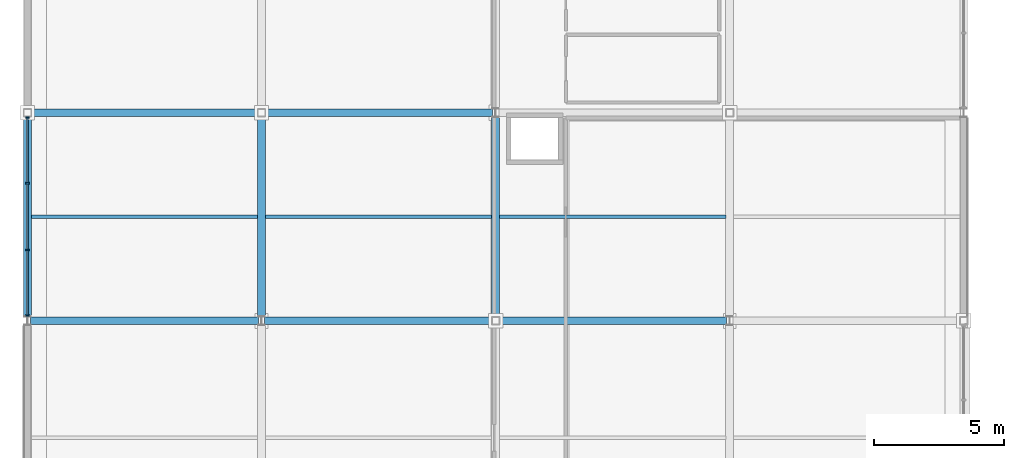
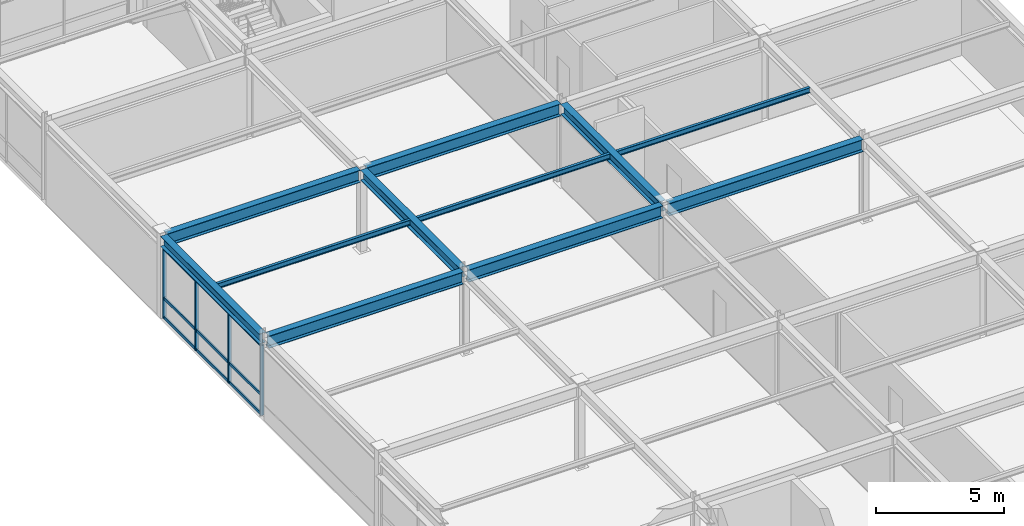
# One storey, part 27 of 108: 13 members, 11 beams, 1 element without a shape of its own.
"""IFC4 building model written with IfcOpenShell, lengths in metres."""

from ifc_helpers import new_model, si_unit, direction, frame, origin, origin_2d, place, context, subcontext, project, spatial, rectangle, i_section, extrude, material, material_profile, profile_set, type_object, element, aggregate, save


model = new_model("IFC4")

# Units and contexts
model_context = context("Model", 3, precision=1e-05, world=origin(), true_north=direction((0.0, 1.0)))
body_context = subcontext(model_context, "Body", "Model", "MODEL_VIEW")
ifc_project = project(units=[si_unit("LENGTHUNIT", "METRE"), si_unit("AREAUNIT", "SQUARE_METRE"), si_unit("VOLUMEUNIT", "CUBIC_METRE"), si_unit("PLANEANGLEUNIT", "RADIAN"), si_unit("MASSUNIT", "GRAM", prefix="KILO")], contexts=[model_context])

# Site, building, storey
site_placement = place(None, origin())
site = spatial("IfcSite", under=ifc_project, at=site_placement, CompositionType="ELEMENT")
building_placement = place(site_placement, origin())
building = spatial("IfcBuilding", under=site, at=building_placement, Name="Suzunagisa Mobility Hub", CompositionType="ELEMENT")
storey_placement = place(building_placement, frame((0.0, 0.0, 9.300048828125)))
storey = spatial("IfcBuildingStorey", under=building, at=storey_placement, Name="L02", CompositionType="ELEMENT", Elevation=9.300048828125)

# Curtain wall, members
ifc_material_1 = material(Name="Thermally Broken Anodized Aluminum and Low-E Glazing", Category="aluminium")
curtain_wall_type = type_object("IfcCurtainWallType", Name="Unitised Curtain Wall CW-30 7750x3300", PredefinedType="USERDEFINED", material=ifc_material_1)
curtain_wall_placement = place(storey_placement, origin())
curtain_wall = element("IfcCurtainWall", 1, at=curtain_wall_placement, inside=storey, type_object=curtain_wall_type, Name="L02 Unitised Curtain Wall CW-32", ObjectType="UNITISED CURTAIN WALL", PredefinedType="USERDEFINED")
ifc_material_2 = material(Name="Anodized Aluminum 6063-T6", Category="aluminium")
ifc_material_profile_1 = material_profile(ifc_material_2, rectangle(XDim=0.06494140625, YDim=0.139892578125, at=origin_2d()), Name="TRAN-65x140")
ifc_profile_set_1 = profile_set([ifc_material_profile_1], Name="Anodized Aluminum 6063-T6")
member_type_1 = type_object("IfcMemberType", Name="Curtain Wall Framing CM-01 TRAN-65x140", PredefinedType="USERDEFINED", material=ifc_profile_set_1)
member_1_placement = place(storey_placement, frame((0.0, 43.7919921875, 0.032470703125), z_axis=(0.0, -1.0, 0.0), x_axis=(1.0, 0.0, 0.0)))
member_1 = element("IfcMember", 2, at=member_1_placement, type_object=member_type_1, Name="Curtain Wall Transom 32-T1.1", ObjectType="TRANSOM", PredefinedType="USERDEFINED", context=body_context, shape_type="SweptSolid", body=[
    extrude(rectangle(XDim=0.06494140625, YDim=0.139892578125, at=origin_2d()), origin(), (0.0, 0.0, 1.0), 2.473876953125),
])
member_2_placement = place(storey_placement, frame((0.0, 43.7919921875, 0.949951171875), z_axis=(0.0, -1.0, 0.0), x_axis=(1.0, 0.0, 0.0)))
member_2 = element("IfcMember", 3, at=member_2_placement, type_object=member_type_1, Name="Curtain Wall Transom 32-T1.2", ObjectType="TRANSOM", PredefinedType="USERDEFINED", context=body_context, shape_type="SweptSolid", body=[
    extrude(rectangle(XDim=0.06494140625, YDim=0.139892578125, at=origin_2d()), origin(), (0.0, 0.0, 1.0), 2.473876953125),
])
member_3_placement = place(storey_placement, frame((0.0, 43.7919921875, 3.299560546875), z_axis=(0.0, -1.0, 0.0), x_axis=(1.0, 0.0, 0.0)))
member_3 = element("IfcMember", 4, at=member_3_placement, type_object=member_type_1, Name="Curtain Wall Transom 32-T1.3", ObjectType="TRANSOM", PredefinedType="USERDEFINED", context=body_context, shape_type="SweptSolid", body=[
    extrude(rectangle(XDim=0.06494140625, YDim=0.139892578125, at=origin_2d()), origin(), (0.0, 0.0, 1.0), 2.473876953125),
])
member_4_placement = place(storey_placement, frame((0.0, 41.261962890625, 0.032470703125), z_axis=(0.0, -1.0, 0.0), x_axis=(1.0, 0.0, 0.0)))
member_4 = element("IfcMember", 5, at=member_4_placement, type_object=member_type_1, Name="Curtain Wall Transom 32-T2.1", ObjectType="TRANSOM", PredefinedType="USERDEFINED", context=body_context, shape_type="SweptSolid", body=[
    extrude(rectangle(XDim=0.06494140625, YDim=0.139892578125, at=origin_2d()), origin(), (0.0, 0.0, 1.0), 2.50390625),
])
member_5_placement = place(storey_placement, frame((0.0, 41.261962890625, 0.949951171875), z_axis=(0.0, -1.0, 0.0), x_axis=(1.0, 0.0, 0.0)))
member_5 = element("IfcMember", 6, at=member_5_placement, type_object=member_type_1, Name="Curtain Wall Transom 32-T2.2", ObjectType="TRANSOM", PredefinedType="USERDEFINED", context=body_context, shape_type="SweptSolid", body=[
    extrude(rectangle(XDim=0.06494140625, YDim=0.139892578125, at=origin_2d()), origin(), (0.0, 0.0, 1.0), 2.50390625),
])
member_6_placement = place(storey_placement, frame((0.0, 41.261962890625, 3.299560546875), z_axis=(0.0, -1.0, 0.0), x_axis=(1.0, 0.0, 0.0)))
member_6 = element("IfcMember", 7, at=member_6_placement, type_object=member_type_1, Name="Curtain Wall Transom 32-T2.3", ObjectType="TRANSOM", PredefinedType="USERDEFINED", context=body_context, shape_type="SweptSolid", body=[
    extrude(rectangle(XDim=0.06494140625, YDim=0.139892578125, at=origin_2d()), origin(), (0.0, 0.0, 1.0), 2.50390625),
])
member_7_placement = place(storey_placement, frame((0.0, 38.701904296875, 0.032470703125), z_axis=(0.0, -1.0, 0.0), x_axis=(1.0, 0.0, 0.0)))
member_7 = element("IfcMember", 8, at=member_7_placement, type_object=member_type_1, Name="Curtain Wall Transom 32-T3.1", ObjectType="TRANSOM", PredefinedType="USERDEFINED", context=body_context, shape_type="SweptSolid", body=[
    extrude(rectangle(XDim=0.06494140625, YDim=0.139892578125, at=origin_2d()), origin(), (0.0, 0.0, 1.0), 2.473876953125),
])
member_8_placement = place(storey_placement, frame((0.0, 38.701904296875, 0.949951171875), z_axis=(0.0, -1.0, 0.0), x_axis=(1.0, 0.0, 0.0)))
member_8 = element("IfcMember", 9, at=member_8_placement, type_object=member_type_1, Name="Curtain Wall Transom 32-T3.2", ObjectType="TRANSOM", PredefinedType="USERDEFINED", context=body_context, shape_type="SweptSolid", body=[
    extrude(rectangle(XDim=0.06494140625, YDim=0.139892578125, at=origin_2d()), origin(), (0.0, 0.0, 1.0), 2.473876953125),
])
member_9_placement = place(storey_placement, frame((0.0, 38.701904296875, 3.299560546875), z_axis=(0.0, -1.0, 0.0), x_axis=(1.0, 0.0, 0.0)))
member_9 = element("IfcMember", 10, at=member_9_placement, type_object=member_type_1, Name="Curtain Wall Transom 32-T3.3", ObjectType="TRANSOM", PredefinedType="USERDEFINED", context=body_context, shape_type="SweptSolid", body=[
    extrude(rectangle(XDim=0.06494140625, YDim=0.139892578125, at=origin_2d()), origin(), (0.0, 0.0, 1.0), 2.473876953125),
])
ifc_material_profile_2 = material_profile(ifc_material_2, rectangle(XDim=0.06005859375, YDim=0.14990234375, at=origin_2d()), Name="MULL-60x150")
ifc_profile_set_2 = profile_set([ifc_material_profile_2], Name="Anodized Aluminum 6063-T6")
member_type_2 = type_object("IfcMemberType", Name="Curtain Wall Framing CM-03 MULL-60x150", PredefinedType="MULLION", material=ifc_profile_set_2)
member_10_placement = place(storey_placement, frame((0.0, 43.820068359375, 0.0), z_axis=(0.0, 0.0, 1.0), x_axis=(0.0, -1.0, 0.0)))
member_10 = element("IfcMember", 11, at=member_10_placement, type_object=member_type_2, Name="Curtain Wall Mullion 32-M1", PredefinedType="MULLION", context=body_context, shape_type="SweptSolid", body=[
    extrude(rectangle(XDim=0.06005859375, YDim=0.14990234375, at=origin_2d()), origin(), (0.0, 0.0, 1.0), 3.33203125),
])
member_11_placement = place(storey_placement, frame((0.0, 41.2900390625, 0.0), z_axis=(0.0, 0.0, 1.0), x_axis=(0.0, -1.0, 0.0)))
member_11 = element("IfcMember", 12, at=member_11_placement, type_object=member_type_2, Name="Curtain Wall Mullion 32-M2", PredefinedType="MULLION", context=body_context, shape_type="SweptSolid", body=[
    extrude(rectangle(XDim=0.06005859375, YDim=0.14990234375, at=origin_2d()), origin(), (0.0, 0.0, 1.0), 3.33203125),
])
member_12_placement = place(storey_placement, frame((0.0, 38.72998046875, 0.0), z_axis=(0.0, 0.0, 1.0), x_axis=(0.0, -1.0, 0.0)))
member_12 = element("IfcMember", 13, at=member_12_placement, type_object=member_type_2, Name="Curtain Wall Mullion 32-M3", PredefinedType="MULLION", context=body_context, shape_type="SweptSolid", body=[
    extrude(rectangle(XDim=0.06005859375, YDim=0.14990234375, at=origin_2d()), origin(), (0.0, 0.0, 1.0), 3.33203125),
])
member_13_placement = place(storey_placement, frame((0.0, 36.199951171875, 0.0), z_axis=(0.0, 0.0, 1.0), x_axis=(0.0, -1.0, 0.0)))
member_13 = element("IfcMember", 14, at=member_13_placement, type_object=member_type_2, Name="Curtain Wall Mullion 32-M4", PredefinedType="MULLION", context=body_context, shape_type="SweptSolid", body=[
    extrude(rectangle(XDim=0.06005859375, YDim=0.14990234375, at=origin_2d()), origin(), (0.0, 0.0, 1.0), 3.33203125),
])
aggregate(curtain_wall, [member_10, member_11, member_12, member_13, member_1, member_2, member_3, member_4, member_5, member_6, member_7, member_8, member_9])

# Beams
ifc_material_3 = material(Name="Steel SN490B", Category="steel")
ifc_material_profile_3 = material_profile(ifc_material_3, i_section(OverallWidth=0.300048828125, OverallDepth=0.488037109375, WebThickness=0.010986328125, FlangeThickness=0.01806640625, FilletRadius=0.012939453125, at=origin_2d()), Name="H-488x300x11x18")
ifc_profile_set_3 = profile_set([ifc_material_profile_3], Name="Steel SN490B")
beam_type_1 = type_object("IfcBeamType", Name="Steel Beam BM-06 H-488x300x11x18", PredefinedType="BEAM", material=ifc_profile_set_3)
for number, where, z_axis, x_axis, name in (
    (15, (0.0, 36.166015625, 3.676025390625), (0.0, 1.0, 0.0), (-1.0, 0.0, 0.0), "L02 Primary Girder GY-300"),
    (16, (9.0, 36.166015625, 3.676025390625), (0.0, 1.0, 0.0), (-1.0, 0.0, 0.0), "L02 Primary Girder GY-306"),
    (17, (18.0, 36.14599609375, 3.676025390625), (0.0, 1.0, 0.0), (-1.0, 0.0, 0.0), "L02 Primary Girder GY-312"),
):
    element("IfcBeam", number, at=place(storey_placement, frame(where, z_axis=z_axis, x_axis=x_axis)), inside=storey, type_object=beam_type_1, Name=name, PredefinedType="BEAM", context=body_context, shape_type="SweptSolid", body=[
        extrude(i_section(OverallWidth=0.300048828125, OverallDepth=0.488037109375, WebThickness=0.010986328125, FlangeThickness=0.01806640625, FilletRadius=0.012939453125, at=origin_2d()), origin(), (0.0, 0.0, 1.0), 7.68798828125),
    ])
ifc_material_profile_4 = material_profile(ifc_material_3, i_section(OverallWidth=0.300048828125, OverallDepth=0.587890625, WebThickness=0.011962890625, FlangeThickness=0.02001953125, FilletRadius=0.012939453125, at=origin_2d()), Name="H-588x300x12x20")
ifc_profile_set_4 = profile_set([ifc_material_profile_4], Name="Steel SN490B")
beam_type_2 = type_object("IfcBeamType", Name="Steel Beam BM-16 H-588x300x12x20", PredefinedType="BEAM", material=ifc_profile_set_4)
beam_1_placement = place(storey_placement, frame((0.12109375, 36.0, 3.6259765625), z_axis=(1.0, 0.0, 0.0), x_axis=(0.0, 1.0, 0.0)))
element("IfcBeam", 18, at=beam_1_placement, inside=storey, type_object=beam_type_2, Name="L02 Primary Girder GX-282", PredefinedType="BEAM", context=body_context, shape_type="SweptSolid", body=[
    extrude(i_section(OverallWidth=0.300048828125, OverallDepth=0.587890625, WebThickness=0.011962890625, FlangeThickness=0.02001953125, FilletRadius=0.012939453125, at=origin_2d()), origin(), (0.0, 0.0, 1.0), 8.7578125),
])
for number, where, z_axis, x_axis, name in (
    (19, (9.12109375, 36.0, 3.6259765625), (1.0, 0.0, 0.0), (0.0, 1.0, 0.0), "L02 Primary Girder GX-283"),
    (20, (18.14599609375, 36.0, 3.6259765625), (1.0, 0.0, 0.0), (0.0, 1.0, 0.0), "L02 Primary Girder GX-284"),
):
    element("IfcBeam", number, at=place(storey_placement, frame(where, z_axis=z_axis, x_axis=x_axis)), inside=storey, type_object=beam_type_2, Name=name, PredefinedType="BEAM", context=body_context, shape_type="SweptSolid", body=[
        extrude(i_section(OverallWidth=0.300048828125, OverallDepth=0.587890625, WebThickness=0.011962890625, FlangeThickness=0.02001953125, FilletRadius=0.012939453125, at=origin_2d()), origin(), (0.0, 0.0, 1.0), 8.73291015625),
    ])
beam_2_placement = place(storey_placement, frame((0.14599609375, 44.0, 3.6259765625), z_axis=(1.0, 0.0, 0.0), x_axis=(0.0, 1.0, 0.0)))
element("IfcBeam", 21, at=beam_2_placement, inside=storey, type_object=beam_type_2, Name="L02 Primary Girder GX-286", PredefinedType="BEAM", context=body_context, shape_type="SweptSolid", body=[
    extrude(i_section(OverallWidth=0.300048828125, OverallDepth=0.587890625, WebThickness=0.011962890625, FlangeThickness=0.02001953125, FilletRadius=0.012939453125, at=origin_2d()), origin(), (0.0, 0.0, 1.0), 8.7080078125),
])
beam_3_placement = place(storey_placement, frame((9.14599609375, 44.0, 3.6259765625), z_axis=(1.0, 0.0, 0.0), x_axis=(0.0, 1.0, 0.0)))
element("IfcBeam", 22, at=beam_3_placement, inside=storey, type_object=beam_type_2, Name="L02 Primary Girder GX-287", PredefinedType="BEAM", context=body_context, shape_type="SweptSolid", body=[
    extrude(i_section(OverallWidth=0.300048828125, OverallDepth=0.587890625, WebThickness=0.011962890625, FlangeThickness=0.02001953125, FilletRadius=0.012939453125, at=origin_2d()), origin(), (0.0, 0.0, 1.0), 8.73291015625),
])
ifc_material_4 = material(Name="Steel SN400B", Category="steel")
ifc_material_profile_5 = material_profile(ifc_material_4, i_section(OverallWidth=0.125, OverallDepth=0.25, WebThickness=0.006103515625, FlangeThickness=0.009033203125, FilletRadius=0.008056640625, at=origin_2d()), Name="H-250x125x6x9")
ifc_profile_set_5 = profile_set([ifc_material_profile_5], Name="Steel SN400B")
beam_type_3 = type_object("IfcBeamType", Name="Steel Beam BM-21 H-250x125x6x9", PredefinedType="JOIST", material=ifc_profile_set_5)
for number, where, z_axis, x_axis, name in (
    (23, (0.14990234375, 40.0, 3.794921875), (1.0, 0.0, 0.0), (0.0, 1.0, 0.0), "L02 Composite Floor Joist J-330"),
    (24, (9.14990234375, 40.0, 3.794921875), (1.0, 0.0, 0.0), (0.0, 1.0, 0.0), "L02 Composite Floor Joist J-335"),
    (25, (18.14990234375, 40.0, 3.794921875), (1.0, 0.0, 0.0), (0.0, 1.0, 0.0), "L02 Composite Floor Joist J-340"),
):
    element("IfcBeam", number, at=place(storey_placement, frame(where, z_axis=z_axis, x_axis=x_axis)), inside=storey, type_object=beam_type_3, Name=name, PredefinedType="JOIST", context=body_context, shape_type="SweptSolid", body=[
        extrude(i_section(OverallWidth=0.125, OverallDepth=0.25, WebThickness=0.006103515625, FlangeThickness=0.009033203125, FilletRadius=0.008056640625, at=origin_2d()), origin(), (0.0, 0.0, 1.0), 8.7001953125),
    ])

save(model, "model.ifc")
